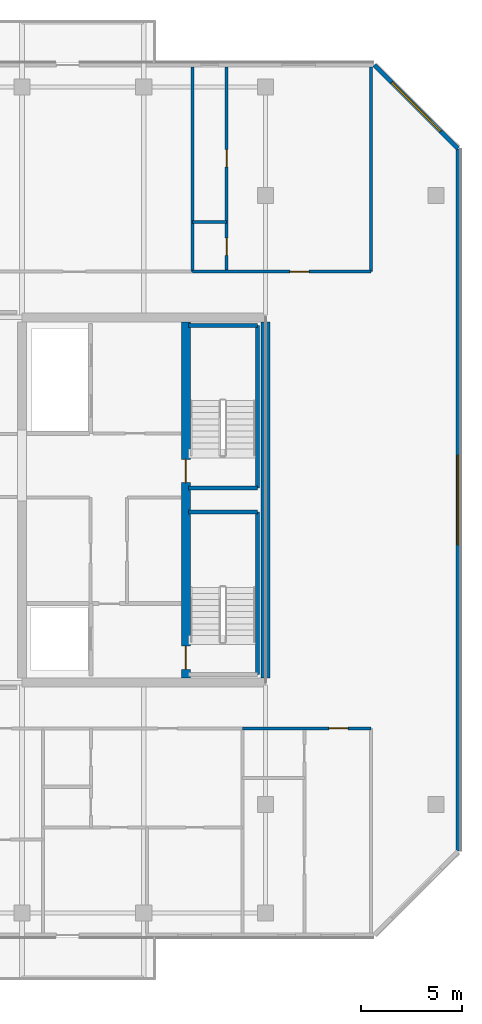
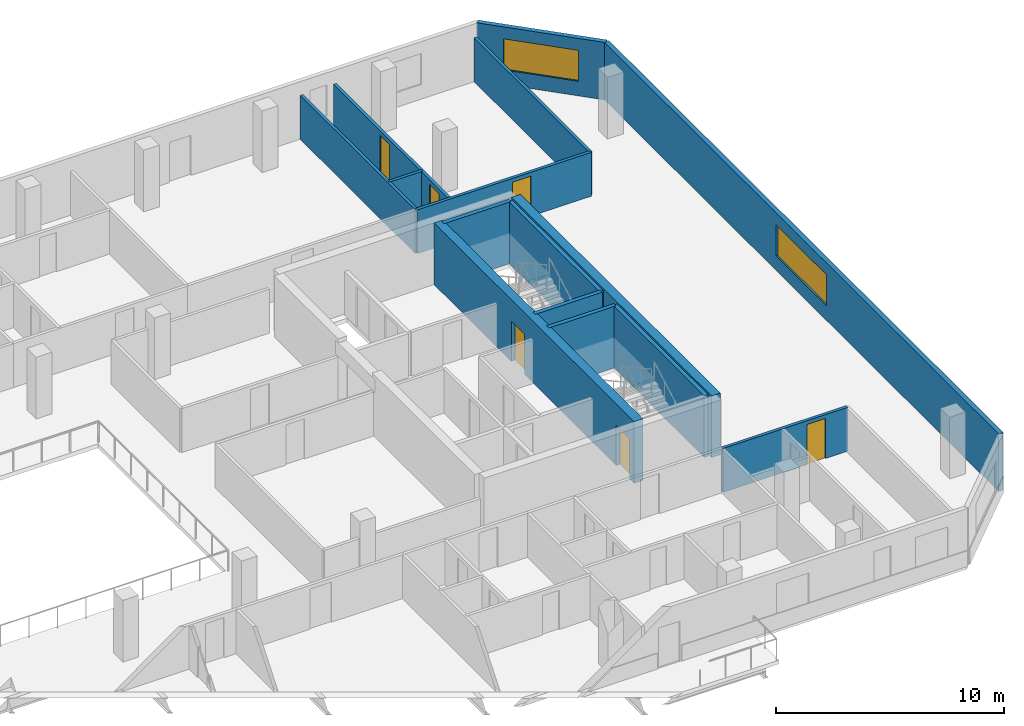
# One storey, part 11 of 16: 15 walls, 6 doors, 2 windows, 8 openings.
"""IFC4 building model written with IfcOpenShell, lengths in metres."""

from ifc_helpers import new_model, si_unit, direction, frame, frame_2d, origin, place, context, subcontext, project, spatial, rectangle, extrude, material, layer, layer_set, type_object, element, fill, save


model = new_model("IFC4")

# Units and contexts
model_context = context("Model", 3, precision=1e-05, world=origin(), true_north=direction((0.0, 1.0)))
body_context = subcontext(model_context, "Body", "Model", "MODEL_VIEW")
ifc_project = project(units=[si_unit("LENGTHUNIT", "METRE"), si_unit("AREAUNIT", "SQUARE_METRE"), si_unit("VOLUMEUNIT", "CUBIC_METRE"), si_unit("PLANEANGLEUNIT", "RADIAN"), si_unit("MASSUNIT", "GRAM", prefix="KILO")], contexts=[model_context])

# Site, building, storey
site_placement = place(None, origin())
site = spatial("IfcSite", under=ifc_project, at=site_placement, CompositionType="ELEMENT")
building_placement = place(site_placement, origin())
building = spatial("IfcBuilding", under=site, at=building_placement, Name="Tanjung Sevakor Pilgrim Tower", CompositionType="ELEMENT")
storey_placement = place(building_placement, frame((0.0, 0.0, 198.330078125)))
storey = spatial("IfcBuildingStorey", under=building, at=storey_placement, Name="L55", CompositionType="ELEMENT", Elevation=198.330078125)

# Wall
ifc_material_1 = material(Name="Concrete C60/75", Category="concrete")
ifc_layer_1 = layer(ifc_material_1, 0.449951171875)
ifc_layer_set_1 = layer_set([ifc_layer_1], Name="WALL-CW-450")
wall_type_1 = type_object("IfcWallType", Name="WALL-CW-450", PredefinedType="SHEAR", material=ifc_layer_set_1)
wall_1_placement = place(storey_placement, frame((90.0, 24.824951171875, 0.0), z_axis=(0.0, 0.0, 1.0), x_axis=(0.0, 1.0, 0.0)))
element("IfcWall", 1, at=wall_1_placement, inside=storey, type_object=wall_type_1, Name="L55 E Core Outer Shear Wall", PredefinedType="SHEAR", context=body_context, shape_type="SweptSolid", body=[
    extrude(rectangle(XDim=17.550048828125, YDim=0.449951171875, at=frame_2d((8.77490234375, 0.0))), origin(), (0.0, 0.0, 1.0), 3.2998046875),
])

# Wall, openings, doors
wall_2_placement = place(storey_placement, frame((86.074951171875, 24.824951171875, 0.0), z_axis=(0.0, 0.0, 1.0), x_axis=(0.0, 1.0, 0.0)))
wall_2 = element("IfcWall", 2, at=wall_2_placement, inside=storey, type_object=wall_type_1, Name="L55 E Core Stair Spine Wall", PredefinedType="SHEAR", context=body_context, shape_type="SweptSolid", body=[
    extrude(rectangle(XDim=17.550048828125, YDim=0.449951171875, at=frame_2d((8.77490234375, 0.0))), origin(), (0.0, 0.0, 1.0), 3.2998046875),
])
opening_1_placement = place(wall_2_placement, frame((0.425048828125, 0.0, 0.0)))
opening_1 = element("IfcOpeningElement", 3, at=opening_1_placement, cuts=wall_2, Name="Opening ID-ST1", PredefinedType="OPENING", context=body_context, shape_type="SweptSolid", body=[
    extrude(rectangle(XDim=1.14990234375, YDim=2.14990234375, at=frame_2d((0.574951171875, 1.074951171875))), frame((0.0, 0.23486328125, 0.0), z_axis=(0.0, -1.0, 0.0), x_axis=(1.0, 0.0, 0.0)), (0.0, 0.0, 1.0), 0.469970703125),
])
opening_2_placement = place(wall_2_placement, frame((9.625, 0.0, 0.0)))
opening_2 = element("IfcOpeningElement", 4, at=opening_2_placement, cuts=wall_2, Name="Opening ID-ST1", PredefinedType="OPENING", context=body_context, shape_type="SweptSolid", body=[
    extrude(rectangle(XDim=1.14990234375, YDim=2.14990234375, at=frame_2d((0.574951171875, 1.074951171875))), frame((0.0, 0.23486328125, 0.0), z_axis=(0.0, -1.0, 0.0), x_axis=(1.0, 0.0, 0.0)), (0.0, 0.0, 1.0), 0.469970703125),
])
ifc_material_2 = material(Name="Fire-Rated Steel S355J2", Category="steel")
door_type_1 = type_object("IfcDoorType", Name="DT-FIRE-1150", OperationType="NOTDEFINED", PredefinedType="DOOR", material=ifc_material_2)
door_1_placement = place(opening_1_placement, origin())
door_1 = element("IfcDoor", 5, at=door_1_placement, inside=storey, type_object=door_type_1, Name="L55 TS-E1 Stair Fire Door", OperationType="SINGLE_SWING_LEFT", OverallHeight=2.14990234375, OverallWidth=1.14990234375, PredefinedType="DOOR", context=body_context, shape_type="SweptSolid", body=[
    extrude(rectangle(XDim=1.14990234375, YDim=2.14990234375, at=frame_2d((0.574951171875, 1.074951171875))), frame((0.0, 0.02490234375, 0.0), z_axis=(0.0, -1.0, 0.0), x_axis=(1.0, 0.0, 0.0)), (0.0, 0.0, 1.0), 0.050048828125),
])
fill(opening_1, door_1)
door_2_placement = place(opening_2_placement, origin())
door_2 = element("IfcDoor", 6, at=door_2_placement, inside=storey, type_object=door_type_1, Name="L55 TS-E2 Stair Fire Door", OperationType="SINGLE_SWING_RIGHT", OverallHeight=2.14990234375, OverallWidth=1.14990234375, PredefinedType="DOOR", context=body_context, shape_type="SweptSolid", body=[
    extrude(rectangle(XDim=1.14990234375, YDim=2.14990234375, at=frame_2d((0.574951171875, 1.074951171875))), frame((0.0, 0.02490234375, 0.0), z_axis=(0.0, -1.0, 0.0), x_axis=(1.0, 0.0, 0.0)), (0.0, 0.0, 1.0), 0.050048828125),
])
fill(opening_2, door_2)

# Wall, opening, door
ifc_material_3 = material(Name="Concrete C40/50", Category="concrete")
ifc_layer_2 = layer(ifc_material_3, 0.14990234375)
ifc_layer_set_2 = layer_set([ifc_layer_2], Name="WT-COMP-150")
wall_type_2 = type_object("IfcWallType", Name="WT-COMP-150", PredefinedType="SOLIDWALL", material=ifc_layer_set_2)
wall_3_placement = place(storey_placement, frame((88.87841796875, 22.35009765625, 0.0), z_axis=(0.0, 0.0, 1.0), x_axis=(1.0, 0.0, 0.0)))
wall_3 = element("IfcWall", 7, at=wall_3_placement, inside=storey, type_object=wall_type_2, Name="L55 Partition IW-L55-073", PredefinedType="SOLIDWALL", context=body_context, shape_type="SweptSolid", body=[
    extrude(rectangle(XDim=6.321533203125, YDim=0.14990234375, at=frame_2d((3.16064453125, 0.0))), origin(), (0.0, 0.0, 1.0), 2.35009765625),
])
opening_3_placement = place(wall_3_placement, frame((4.24658203125, 0.0, 0.0)))
opening_3 = element("IfcOpeningElement", 8, at=opening_3_placement, cuts=wall_3, Name="Opening ID-FD2", PredefinedType="OPENING", context=body_context, shape_type="SweptSolid", body=[
    extrude(rectangle(XDim=0.949951171875, YDim=2.14990234375, at=frame_2d((0.47509765625, 1.074951171875))), frame((0.0, 0.0849609375, 0.0), z_axis=(0.0, -1.0, 0.0), x_axis=(1.0, 0.0, 0.0)), (0.0, 0.0, 1.0), 0.169921875),
])
ifc_material_4 = material(Name="Fire-Rated Timber", Category="wood")
door_type_2 = type_object("IfcDoorType", Name="DT-FIRE-950", OperationType="NOTDEFINED", PredefinedType="DOOR", material=ifc_material_4)
door_3_placement = place(opening_3_placement, origin())
door_3 = element("IfcDoor", 9, at=door_3_placement, inside=storey, type_object=door_type_2, Name="Hostel Quad Entrance", OperationType="SINGLE_SWING_LEFT", OverallHeight=2.14990234375, OverallWidth=0.949951171875, PredefinedType="DOOR", context=body_context, shape_type="SweptSolid", body=[
    extrude(rectangle(XDim=0.949951171875, YDim=2.14990234375, at=frame_2d((0.47509765625, 1.074951171875))), frame((0.0, 0.02490234375, 0.0), z_axis=(0.0, -1.0, 0.0), x_axis=(1.0, 0.0, 0.0)), (0.0, 0.0, 1.0), 0.050048828125),
])
fill(opening_3, door_3)

# Walls
for number, where, z_axis, x_axis, name in (
    (10, (95.199951171875, 44.85009765625, 0.0), (0.0, 0.0, 1.0), (0.0, 1.0, 0.0), "L55 Partition IW-L55-082"),
    (11, (86.395263671875, 44.85009765625, 0.0), (0.0, 0.0, 1.0), (0.0, 1.0, 0.0), "L55 Partition IW-L55-094"),
):
    element("IfcWall", number, at=place(storey_placement, frame(where, z_axis=z_axis, x_axis=x_axis)), inside=storey, type_object=wall_type_2, Name=name, PredefinedType="SOLIDWALL", context=body_context, shape_type="SweptSolid", body=[
        extrude(rectangle(XDim=10.079833984375, YDim=0.14990234375, at=frame_2d((5.0400390625, 0.0))), origin(), (0.0, 0.0, 1.0), 2.35009765625),
    ])

# Wall, opening, door
wall_4_placement = place(storey_placement, frame((86.395263671875, 44.85009765625, 0.0), z_axis=(0.0, 0.0, 1.0), x_axis=(1.0, 0.0, 0.0)))
wall_4 = element("IfcWall", 12, at=wall_4_placement, inside=storey, type_object=wall_type_2, Name="L55 Partition IW-L55-098", PredefinedType="SOLIDWALL", context=body_context, shape_type="SweptSolid", body=[
    extrude(rectangle(XDim=8.8046875, YDim=0.14990234375, at=frame_2d((4.40234375, 0.0))), origin(), (0.0, 0.0, 1.0), 2.35009765625),
])
opening_4_placement = place(wall_4_placement, frame((4.809814453125, 0.0, 0.0)))
opening_4 = element("IfcOpeningElement", 13, at=opening_4_placement, cuts=wall_4, Name="Opening ID-FD2", PredefinedType="OPENING", context=body_context, shape_type="SweptSolid", body=[
    extrude(rectangle(XDim=0.949951171875, YDim=2.14990234375, at=frame_2d((0.47509765625, 1.074951171875))), frame((0.0, 0.0849609375, 0.0), z_axis=(0.0, -1.0, 0.0), x_axis=(1.0, 0.0, 0.0)), (0.0, 0.0, 1.0), 0.169921875),
])
door_4_placement = place(opening_4_placement, origin())
door_4 = element("IfcDoor", 14, at=door_4_placement, inside=storey, type_object=door_type_2, Name="Hostel Quad Entrance", OperationType="SINGLE_SWING_RIGHT", OverallHeight=2.14990234375, OverallWidth=0.949951171875, PredefinedType="DOOR", context=body_context, shape_type="SweptSolid", body=[
    extrude(rectangle(XDim=0.949951171875, YDim=2.14990234375, at=frame_2d((0.47509765625, 1.074951171875))), frame((0.0, 0.02490234375, 0.0), z_axis=(0.0, -1.0, 0.0), x_axis=(1.0, 0.0, 0.0)), (0.0, 0.0, 1.0), 0.050048828125),
])
fill(opening_4, door_4)

# Wall, opening, window
ifc_material_5 = material(Name="Precast concrete C45/55", Category="concrete")
ifc_layer_3 = layer(ifc_material_5, 0.219970703125)
ifc_layer_set_3 = layer_set([ifc_layer_3], Name="WT-EW-STN4")
wall_type_3 = type_object("IfcWallType", Name="WT-EW-STN4", PredefinedType="SOLIDWALL", material=ifc_layer_set_3)
wall_5_placement = place(storey_placement, frame((99.489990234375, 16.295654296875, 0.0), z_axis=(0.0, 0.0, 1.0), x_axis=(0.0, 1.0, 0.0)))
wall_5 = element("IfcWall", 15, at=wall_5_placement, inside=storey, type_object=wall_type_3, Name="L55 MAIN Exterior Wall 7", PredefinedType="SOLIDWALL", context=body_context, shape_type="SweptSolid", body=[
    extrude(rectangle(XDim=34.608642578125, YDim=0.219970703125, at=frame_2d((17.30419921875, 0.0))), origin(), (0.0, 0.0, 1.0), 3.080078125),
])
opening_5_placement = place(wall_5_placement, frame((15.1044921875, 0.0, 0.780029296875)))
opening_5 = element("IfcOpeningElement", 16, at=opening_5_placement, cuts=wall_5, Name="Opening WN-ENDW-1660", PredefinedType="OPENING", context=body_context, shape_type="SweptSolid", body=[
    extrude(rectangle(XDim=4.39990234375, YDim=1.659912109375, at=frame_2d((2.199951171875, 0.830078125))), frame((0.0, 0.119873046875, 0.0), z_axis=(0.0, -1.0, 0.0), x_axis=(1.0, 0.0, 0.0)), (0.0, 0.0, 1.0), 0.239990234375),
])
ifc_material_6 = material(Name="Thermally Broken Aluminium and Low-E Glass", Category="aluminium")
window_type_1 = type_object("IfcWindowType", Name="WTYP-WN-ENDW-1660", PartitioningType="DOUBLE_PANEL_VERTICAL", PredefinedType="WINDOW", material=ifc_material_6)
window_1_placement = place(opening_5_placement, origin())
window_1 = element("IfcWindow", 17, at=window_1_placement, inside=storey, type_object=window_type_1, Name="L55 Facade Window 01", OverallHeight=1.659912109375, OverallWidth=4.39990234375, PartitioningType="SINGLE_PANEL", PredefinedType="WINDOW", context=body_context, shape_type="SweptSolid", body=[
    extrude(rectangle(XDim=4.39990234375, YDim=1.659912109375, at=frame_2d((2.199951171875, 0.830078125))), frame((0.0, 0.030029296875, 0.0), z_axis=(0.0, -1.0, 0.0), x_axis=(1.0, 0.0, 0.0)), (0.0, 0.0, 1.0), 0.06005859375),
])
fill(opening_5, window_1)

wall_6_placement = place(storey_placement, frame((99.489990234375, 50.904296875, 0.0), z_axis=(0.0, 0.0, 1.0), x_axis=(-0.707085909342, 0.707127652415, 0.0)))
wall_6 = element("IfcWall", 18, at=wall_6_placement, inside=storey, type_object=wall_type_3, Name="L55 MAIN Sculpted Corner Wall 7", PredefinedType="SOLIDWALL", context=body_context, shape_type="SweptSolid", body=[
    extrude(rectangle(XDim=5.8486328125, YDim=0.219970703125, at=frame_2d((2.92431640625, 0.0))), origin(), (0.0, 0.0, 1.0), 3.080078125),
])
opening_6_placement = place(wall_6_placement, frame((1.224365234375, 0.0, 0.780029296875)))
opening_6 = element("IfcOpeningElement", 19, at=opening_6_placement, cuts=wall_6, Name="Opening WN-CHM-1660", PredefinedType="OPENING", context=body_context, shape_type="SweptSolid", body=[
    extrude(rectangle(XDim=3.39990234375, YDim=1.659912109375, at=frame_2d((1.699951171875, 0.830078125))), frame((0.0, 0.119873046875, 0.0), z_axis=(0.0, -1.0, 0.0), x_axis=(1.0, 0.0, 0.0)), (0.0, 0.0, 1.0), 0.239990234375),
])
ifc_material_7 = material(Name="Thermally Broken Aluminium and Low-E Glass", Category="aluminium")
window_type_2 = type_object("IfcWindowType", Name="WTYP-WN-CHM-1660", PartitioningType="DOUBLE_PANEL_VERTICAL", PredefinedType="WINDOW", material=ifc_material_7)
window_2_placement = place(opening_6_placement, origin())
window_2 = element("IfcWindow", 20, at=window_2_placement, inside=storey, type_object=window_type_2, Name="L55 Facade Window 01", OverallHeight=1.659912109375, OverallWidth=3.39990234375, PartitioningType="SINGLE_PANEL", PredefinedType="WINDOW", context=body_context, shape_type="SweptSolid", body=[
    extrude(rectangle(XDim=3.39990234375, YDim=1.659912109375, at=frame_2d((1.699951171875, 0.830078125))), frame((0.0, 0.030029296875, 0.0), z_axis=(0.0, -1.0, 0.0), x_axis=(1.0, 0.0, 0.0)), (0.0, 0.0, 1.0), 0.06005859375),
])
fill(opening_6, window_2)

# Walls
ifc_material_8 = material(Name="Concrete C40/50", Category="concrete")
ifc_layer_4 = layer(ifc_material_8, 0.199951171875)
ifc_layer_set_4 = layer_set([ifc_layer_4], Name="WT-FIRE-200")
wall_type_4 = type_object("IfcWallType", Name="WT-FIRE-200", PredefinedType="SOLIDWALL", material=ifc_layer_set_4)
wall_7_placement = place(storey_placement, frame((89.60009765625, 25.0, 0.0), z_axis=(0.0, 0.0, 1.0), x_axis=(0.0, 1.0, 0.0)))
element("IfcWall", 21, at=wall_7_placement, inside=storey, type_object=wall_type_4, Name="L55 TS-E1 Shaft Wall 2", PredefinedType="SOLIDWALL", context=body_context, shape_type="SweptSolid", body=[
    extrude(rectangle(XDim=8.0, YDim=0.199951171875, at=frame_2d((4.0, 0.0))), origin(), (0.0, 0.0, 1.0), 3.2998046875),
])
for number, where, z_axis, x_axis, name in (
    (22, (89.60009765625, 33.0, 0.0), (0.0, 0.0, 1.0), (-1.0, 0.0, 0.0), "L55 TS-E1 Shaft Wall 3"),
    (23, (86.199951171875, 34.199951171875, 0.0), (0.0, 0.0, 1.0), (1.0, 0.0, 0.0), "L55 TS-E2 Shaft Wall 1"),
):
    element("IfcWall", number, at=place(storey_placement, frame(where, z_axis=z_axis, x_axis=x_axis)), inside=storey, type_object=wall_type_4, Name=name, PredefinedType="SOLIDWALL", context=body_context, shape_type="SweptSolid", body=[
        extrude(rectangle(XDim=3.400146484375, YDim=0.199951171875, at=frame_2d((1.7001953125, 0.0))), origin(), (0.0, 0.0, 1.0), 3.2998046875),
    ])
wall_8_placement = place(storey_placement, frame((89.60009765625, 34.199951171875, 0.0), z_axis=(0.0, 0.0, 1.0), x_axis=(0.0, 1.0, 0.0)))
element("IfcWall", 24, at=wall_8_placement, inside=storey, type_object=wall_type_4, Name="L55 TS-E2 Shaft Wall 2", PredefinedType="SOLIDWALL", context=body_context, shape_type="SweptSolid", body=[
    extrude(rectangle(XDim=8.0, YDim=0.199951171875, at=frame_2d((4.0, 0.0))), origin(), (0.0, 0.0, 1.0), 3.2998046875),
])
wall_9_placement = place(storey_placement, frame((89.60009765625, 42.199951171875, 0.0), z_axis=(0.0, 0.0, 1.0), x_axis=(-1.0, 0.0, 0.0)))
element("IfcWall", 25, at=wall_9_placement, inside=storey, type_object=wall_type_4, Name="L55 TS-E2 Shaft Wall 3", PredefinedType="SOLIDWALL", context=body_context, shape_type="SweptSolid", body=[
    extrude(rectangle(XDim=3.400146484375, YDim=0.199951171875, at=frame_2d((1.7001953125, 0.0))), origin(), (0.0, 0.0, 1.0), 3.2998046875),
])
ifc_material_9 = material(Name="Gypsum Board Partition", Category="gypsum board")
ifc_layer_5 = layer(ifc_material_9, 0.14990234375)
ifc_layer_set_5 = layer_set([ifc_layer_5], Name="WT-PART-150")
wall_type_5 = type_object("IfcWallType", Name="WT-PART-150", PredefinedType="PARTITIONING", material=ifc_layer_set_5)
wall_10_placement = place(storey_placement, frame((86.395263671875, 47.300048828125, 0.0), z_axis=(0.0, 0.0, 1.0), x_axis=(1.0, 0.0, 0.0)))
element("IfcWall", 26, at=wall_10_placement, inside=storey, type_object=wall_type_5, Name="L55 Partition IW-L55-096", PredefinedType="PARTITIONING", context=body_context, shape_type="SweptSolid", body=[
    extrude(rectangle(XDim=1.684814453125, YDim=0.14990234375, at=frame_2d((0.84228515625, 0.0))), origin(), (0.0, 0.0, 1.0), 2.35009765625),
])

# Wall, openings, doors
wall_11_placement = place(storey_placement, frame((88.080078125, 44.85009765625, 0.0), z_axis=(0.0, 0.0, 1.0), x_axis=(0.0, 1.0, 0.0)))
wall_11 = element("IfcWall", 27, at=wall_11_placement, inside=storey, type_object=wall_type_5, Name="L55 Partition IW-L55-097", PredefinedType="PARTITIONING", context=body_context, shape_type="SweptSolid", body=[
    extrude(rectangle(XDim=10.079833984375, YDim=0.14990234375, at=frame_2d((5.0400390625, 0.0))), origin(), (0.0, 0.0, 1.0), 2.35009765625),
])
opening_7_placement = place(wall_11_placement, frame((0.800048828125, 0.0, 0.0)))
opening_7 = element("IfcOpeningElement", 28, at=opening_7_placement, cuts=wall_11, Name="Opening ID-WC1", PredefinedType="OPENING", context=body_context, shape_type="SweptSolid", body=[
    extrude(rectangle(XDim=0.85009765625, YDim=2.10009765625, at=frame_2d((0.425048828125, 1.050048828125))), frame((0.0, 0.0849609375, 0.0), z_axis=(0.0, -1.0, 0.0), x_axis=(1.0, 0.0, 0.0)), (0.0, 0.0, 1.0), 0.169921875),
])
opening_8_placement = place(wall_11_placement, frame((5.162109375, 0.0, 0.0)))
opening_8 = element("IfcOpeningElement", 29, at=opening_8_placement, cuts=wall_11, Name="Opening ID-WC1", PredefinedType="OPENING", context=body_context, shape_type="SweptSolid", body=[
    extrude(rectangle(XDim=0.85009765625, YDim=2.10009765625, at=frame_2d((0.425048828125, 1.050048828125))), frame((0.0, 0.0849609375, 0.0), z_axis=(0.0, -1.0, 0.0), x_axis=(1.0, 0.0, 0.0)), (0.0, 0.0, 1.0), 0.169921875),
])
ifc_material_10 = material(Name="Moisture-Resistant Timber", Category="wood")
door_type_3 = type_object("IfcDoorType", Name="DT-INT-850", OperationType="NOTDEFINED", PredefinedType="DOOR", material=ifc_material_10)
door_5_placement = place(opening_7_placement, origin())
door_5 = element("IfcDoor", 30, at=door_5_placement, inside=storey, type_object=door_type_3, Name="Bathroom Door", OperationType="SINGLE_SWING_RIGHT", OverallHeight=2.10009765625, OverallWidth=0.85009765625, PredefinedType="DOOR", context=body_context, shape_type="SweptSolid", body=[
    extrude(rectangle(XDim=0.85009765625, YDim=2.10009765625, at=frame_2d((0.425048828125, 1.050048828125))), frame((0.0, 0.02490234375, 0.0), z_axis=(0.0, -1.0, 0.0), x_axis=(1.0, 0.0, 0.0)), (0.0, 0.0, 1.0), 0.050048828125),
])
fill(opening_7, door_5)
door_6_placement = place(opening_8_placement, origin())
door_6 = element("IfcDoor", 31, at=door_6_placement, inside=storey, type_object=door_type_3, Name="Study Nook Door", OperationType="SINGLE_SWING_LEFT", OverallHeight=2.10009765625, OverallWidth=0.85009765625, PredefinedType="DOOR", context=body_context, shape_type="SweptSolid", body=[
    extrude(rectangle(XDim=0.85009765625, YDim=2.10009765625, at=frame_2d((0.425048828125, 1.050048828125))), frame((0.0, 0.02490234375, 0.0), z_axis=(0.0, -1.0, 0.0), x_axis=(1.0, 0.0, 0.0)), (0.0, 0.0, 1.0), 0.050048828125),
])
fill(opening_8, door_6)

save(model, "model.ifc")
